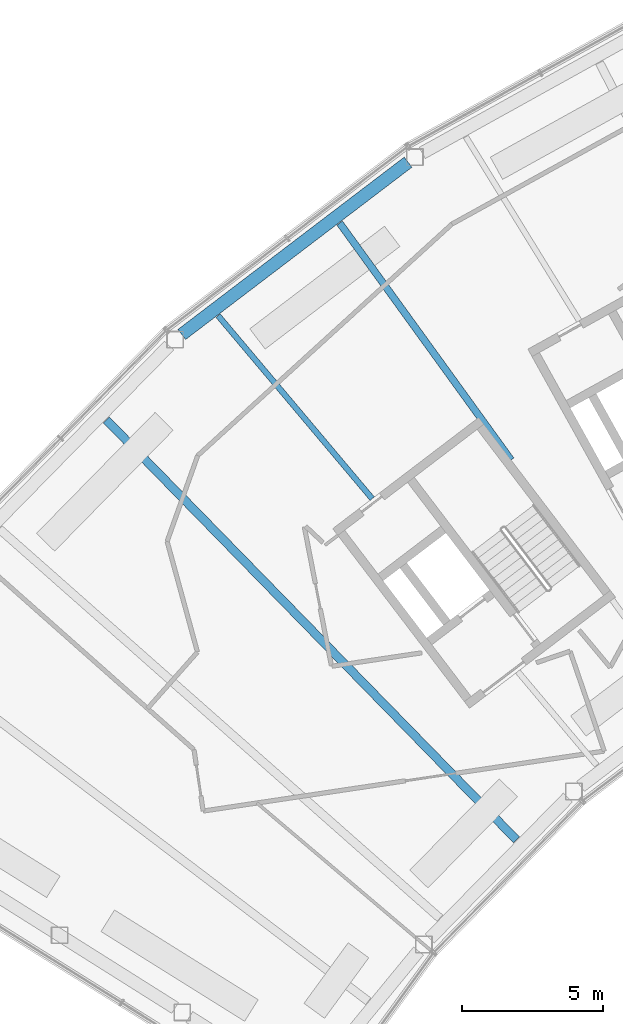
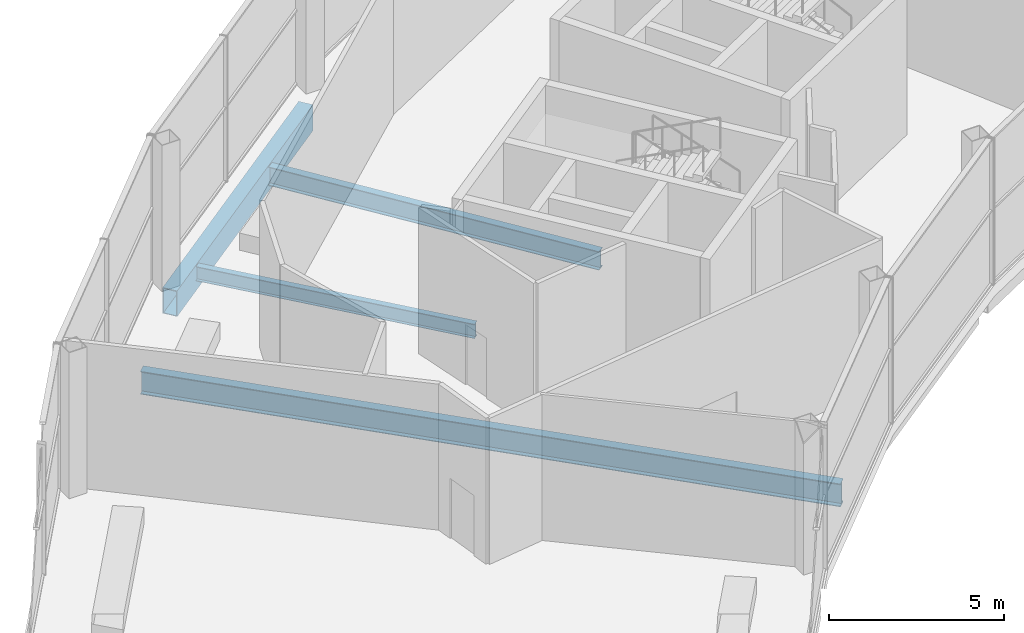
# One storey, part 9 of 43: 4 beams.
"""IFC4 building model written with IfcOpenShell, lengths in metres."""

import ifcopenshell
import ifcopenshell.guid

model = None  # the IFC model being written
_history = None  # IfcOwnerHistory: only IFC2X3 demands one
_inside = {}  # id of a spatial element -> (the spatial element, [elements in it])
_under = {}  # id of a project, library or spatial element -> (it, [spatial elements below it])
_declared = {}  # id of a project -> (the project, [libraries it declares])
_typed = {}  # id of a type object -> (the type object, [elements of that type])
_made_of = {}  # id of a material, layer set ... -> (it, [elements and type objects made of it])


def new_model(schema):
    """Start an empty IFC model of exactly this schema.

    Asked for "IFC4X3", IfcOpenShell would pick the latest addendum, in which some entities
    have other attributes; the version numbers below select the first issue.
    IFC2X3 requires an IfcOwnerHistory on every rooted entity: one is made here for all.
    """
    global model, _history
    if schema == "IFC4X3":
        model = ifcopenshell.file(schema_version=(4, 3, 0, 0))
    else:
        model = ifcopenshell.file(schema=schema)
    _inside.clear()
    _under.clear()
    _declared.clear()
    _typed.clear()
    _made_of.clear()
    _history = None
    if model.schema == "IFC2X3":
        org = make("IfcOrganization", Name="unknown")
        user = make(
            "IfcPersonAndOrganization",
            ThePerson=make("IfcPerson", FamilyName="unknown"),
            TheOrganization=org,
        )
        app = make(
            "IfcApplication",
            ApplicationDeveloper=org,
            Version="unknown",
            ApplicationFullName="unknown",
            ApplicationIdentifier="unknown",
        )
        _history = make(
            "IfcOwnerHistory",
            OwningUser=user,
            OwningApplication=app,
            ChangeAction="ADDED",
            CreationDate=0,
        )
    return model


def make(cls, **values):
    """One entity of the class cls with the attributes given. An attribute that is None is left unset."""
    return model.create_entity(
        cls, **{name: value for name, value in values.items() if value is not None}
    )


def rooted(cls, **values):
    """An entity with a GlobalId (a new one), such as an element, a storey or a relation."""
    return make(cls, GlobalId=ifcopenshell.guid.new(), OwnerHistory=_history, **values)


def si_unit(unit_type, name, prefix=None):
    """IfcSIUnit, for example si_unit("LENGTHUNIT", "METRE", prefix="MILLI")."""
    return make("IfcSIUnit", UnitType=unit_type, Prefix=prefix, Name=name)


def assignment(units):
    """IfcUnitAssignment: the units of a project."""
    return None if units is None else make("IfcUnitAssignment", Units=units)


def point(xyz):
    """IfcCartesianPoint."""
    return None if xyz is None else make("IfcCartesianPoint", Coordinates=xyz)


def direction(xyz):
    """IfcDirection."""
    return None if xyz is None else make("IfcDirection", DirectionRatios=xyz)


def frame(location, z_axis=None, x_axis=None):
    """IfcAxis2Placement3D, a coordinate frame: its origin and axes. An axis left out is left unset."""
    return make(
        "IfcAxis2Placement3D",
        Location=point(location),
        Axis=direction(z_axis),
        RefDirection=direction(x_axis),
    )


def frame_2d(location, x_axis=None):
    """IfcAxis2Placement2D, a coordinate frame in the plane: its origin and x axis."""
    return make(
        "IfcAxis2Placement2D", Location=point(location), RefDirection=direction(x_axis)
    )


def origin():
    """The frame at (0, 0, 0) with its axes left unset."""
    return frame((0.0, 0.0, 0.0))


def origin_2d():
    """The frame at (0, 0) in the plane with its x axis left unset."""
    return frame_2d((0.0, 0.0))


def place(relative_to, where):
    """IfcLocalPlacement: puts the frame where relative to a parent placement (None: the world)."""
    return make(
        "IfcLocalPlacement", PlacementRelTo=relative_to, RelativePlacement=where
    )


def context(
    kind, dimensions, precision=None, world=None, true_north=None, identifier=None
):
    """IfcGeometricRepresentationContext, for example the 3D "Model" context."""
    return make(
        "IfcGeometricRepresentationContext",
        ContextIdentifier=identifier,
        ContextType=kind,
        CoordinateSpaceDimension=dimensions,
        Precision=precision,
        WorldCoordinateSystem=world,
        TrueNorth=true_north,
    )


def subcontext(parent, identifier, kind, view, scale=None):
    """IfcGeometricRepresentationSubContext, for example "Body" below "Model"."""
    return make(
        "IfcGeometricRepresentationSubContext",
        ContextIdentifier=identifier,
        ContextType=kind,
        ParentContext=parent,
        TargetScale=scale,
        TargetView=view,
    )


def project(units=None, contexts=None):
    """IfcProject with its units and contexts."""
    return rooted(
        "IfcProject",
        Name="project",
        RepresentationContexts=contexts,
        UnitsInContext=assignment(units),
    )


def spatial(cls, under=None, at=None, **own):
    """A site, building, storey or space (cls), placed at a placement, below another one or the project."""
    s = rooted(cls, ObjectPlacement=at, **own)
    if under is not None:
        _under.setdefault(under.id(), (under, []))[1].append(s)
    return s


def profile(cls, at=None, kind="AREA", **sizes):
    """A parametric profile (cls). Its sizes go by their IFC names, for example OverallWidth=200.0."""
    return make(cls, ProfileType=kind, Position=at, **sizes)


def hollow_rectangle(**sizes):
    """IfcRectangleHollowProfileDef."""
    return profile("IfcRectangleHollowProfileDef", **sizes)


def i_section(**sizes):
    """IfcIShapeProfileDef."""
    return profile("IfcIShapeProfileDef", **sizes)


def extrude(swept, where, along, depth):
    """IfcExtrudedAreaSolid: the profile swept, set in the frame where, extruded along a direction by depth."""
    return make(
        "IfcExtrudedAreaSolid",
        SweptArea=swept,
        Position=where,
        ExtrudedDirection=direction(along),
        Depth=depth,
    )


def shape(context_of_items, identifier, shape_type, items):
    """IfcShapeRepresentation: the items that make up one representation, for example the "Body"."""
    return make(
        "IfcShapeRepresentation",
        ContextOfItems=context_of_items,
        RepresentationIdentifier=identifier,
        RepresentationType=shape_type,
        Items=items,
    )


def material(Name=None, Category=None):
    """IfcMaterial."""
    return make("IfcMaterial", Name=Name, Category=Category)


def material_profile(
    of_material, cross_section, Name=None, Category=None, Priority=None
):
    """IfcMaterialProfile: a cross section and its material."""
    return make(
        "IfcMaterialProfile",
        Name=Name,
        Material=of_material,
        Profile=cross_section,
        Priority=Priority,
        Category=Category,
    )


def profile_set(profiles, Name=None, composite=None):
    """IfcMaterialProfileSet."""
    return make(
        "IfcMaterialProfileSet",
        Name=Name,
        MaterialProfiles=profiles,
        CompositeProfile=composite,
    )


def made_of(thing, what):
    """Note that an element or type object is made of a material, layer set ...; save() writes the relation."""
    if what is not None:
        _made_of.setdefault(what.id(), (what, []))[1].append(thing)
    return thing


def type_object(cls, material=None, **own):
    """A type object (cls), such as IfcWallType, which elements share."""
    return made_of(rooted(cls, **own), material)


def element(
    cls,
    number,
    at=None,
    inside=None,
    cuts=None,
    type_object=None,
    material=None,
    context=None,
    identifier="Body",
    shape_type=None,
    held_by="IfcProductDefinitionShape",
    body=None,
    shapes=None,
    **own,
):
    """One element of the class cls, such as IfcWall. Its Tag is "e" and its number.

    at: its placement. inside: the storey or other place that contains it. cuts: it is an
    opening in that element (IfcRelVoidsElement). A single representation is given by context,
    identifier, shape_type and body (its items); several are given by shapes. held_by: the class
    of the entity that holds the representations. save() writes the other relations.
    """
    e = rooted(cls, Tag="e%d" % number, ObjectPlacement=at, **own)
    if body is not None:
        shapes = [shape(context, identifier, shape_type, body)]
    if shapes is not None:
        e.Representation = make(held_by, Representations=shapes)
    if inside is not None:
        _inside.setdefault(inside.id(), (inside, []))[1].append(e)
    if cuts is not None:
        rooted(
            "IfcRelVoidsElement", RelatingBuildingElement=cuts, RelatedOpeningElement=e
        )
    if type_object is not None:
        _typed.setdefault(type_object.id(), (type_object, []))[1].append(e)
    return made_of(e, material)


def aggregate(whole, parts):
    """IfcRelAggregates: a whole, such as a stair, and the parts it consists of."""
    return rooted("IfcRelAggregates", RelatingObject=whole, RelatedObjects=parts)


def save(model, path):
    """Write the relations noted so far, then the file.

    IfcRelAggregates (storeys below a building ...), IfcRelContainedInSpatialStructure (elements
    in a storey), IfcRelDefinesByType, IfcRelAssociatesMaterial and IfcRelDeclares: one each for
    every whole, place, type object, material and project.
    """
    for whole, parts in _under.values():
        aggregate(whole, parts)
    for where, things in _inside.values():
        rooted(
            "IfcRelContainedInSpatialStructure",
            RelatedElements=things,
            RelatingStructure=where,
        )
    for kind, things in _typed.values():
        rooted("IfcRelDefinesByType", RelatedObjects=things, RelatingType=kind)
    for what, things in _made_of.values():
        rooted("IfcRelAssociatesMaterial", RelatedObjects=things, RelatingMaterial=what)
    for by, libraries in _declared.values():
        rooted("IfcRelDeclares", RelatingContext=by, RelatedDefinitions=libraries)
    model.write(path)


model = new_model("IFC4")

# Units and contexts
model_context = context("Model", 3, precision=1e-05, world=origin(), true_north=direction((0.0, 1.0)))
body_context = subcontext(model_context, "Body", "Model", "MODEL_VIEW")
ifc_project = project(units=[si_unit("LENGTHUNIT", "METRE"), si_unit("AREAUNIT", "SQUARE_METRE"), si_unit("VOLUMEUNIT", "CUBIC_METRE"), si_unit("PLANEANGLEUNIT", "RADIAN"), si_unit("MASSUNIT", "GRAM", prefix="KILO")], contexts=[model_context])

# Site, building, storey
site_placement = place(None, origin())
site = spatial("IfcSite", under=ifc_project, at=site_placement, CompositionType="ELEMENT")
building_placement = place(site_placement, origin())
building = spatial("IfcBuilding", under=site, at=building_placement, Name="Tuul Gate Civic Tower", CompositionType="ELEMENT")
storey_placement = place(building_placement, frame((0.0, 0.0, 349.10009765625)))
storey = spatial("IfcBuildingStorey", under=building, at=storey_placement, Name="Observation level 1", CompositionType="ELEMENT", Elevation=349.10009765625)

# Beams
ifc_material_1 = material(Name="Steel S355", Category="steel")
ifc_material_profile_1 = material_profile(ifc_material_1, i_section(OverallWidth=0.199951171875, OverallDepth=0.5, WebThickness=0.010009765625, FlangeThickness=0.01611328125, at=origin_2d()), Name="PG500x200x10x16")
ifc_profile_set_1 = profile_set([ifc_material_profile_1], Name="Steel S355")
beam_type_1 = type_object("IfcBeamType", Name="STR-FLOOR BEAM-PG500x200x10x16", PredefinedType="BEAM", material=ifc_profile_set_1)
beam_1_placement = place(storey_placement, frame((-39.720703125, -10.298095703125, -0.650146484375), z_axis=(-0.644145503575, 0.764902980923, 0.0), x_axis=(-0.764902980923, -0.644145503575, 0.0)))
element("IfcBeam", 1, at=beam_1_placement, inside=storey, type_object=beam_type_1, Name="Floor beam", PredefinedType="BEAM", context=body_context, shape_type="SweptSolid", body=[
    extrude(i_section(OverallWidth=0.199951171875, OverallDepth=0.5, WebThickness=0.010009765625, FlangeThickness=0.01611328125, at=origin_2d()), origin(), (0.0, 0.0, 1.0), 8.47509765625),
])
ifc_material_2 = material(Name="Steel S355", Category="steel")
ifc_material_profile_2 = material_profile(ifc_material_2, i_section(OverallWidth=0.25, OverallDepth=0.64990234375, WebThickness=0.011962890625, FlangeThickness=0.02001953125, at=origin_2d()), Name="PG650x250x12x20")
ifc_profile_set_2 = profile_set([ifc_material_profile_2], Name="Steel S355")
beam_type_2 = type_object("IfcBeamType", Name="STR-FLOOR BEAM-PG650x250x12x20", PredefinedType="BEAM", material=ifc_profile_set_2)
beam_2_placement = place(storey_placement, frame((-34.799560546875, -8.9296875, -0.72509765625), z_axis=(-0.586091808988, 0.810244649126, 0.0), x_axis=(-0.810244649126, -0.586091808988, 0.0)))
element("IfcBeam", 2, at=beam_2_placement, inside=storey, type_object=beam_type_2, Name="Floor beam", PredefinedType="BEAM", context=body_context, shape_type="SweptSolid", body=[
    extrude(i_section(OverallWidth=0.25, OverallDepth=0.64990234375, WebThickness=0.011962890625, FlangeThickness=0.02001953125, at=origin_2d()), origin(), (0.0, 0.0, 1.0), 10.360107421875),
])
ifc_material_3 = material(Name="Steel S355", Category="steel")
ifc_material_profile_3 = material_profile(ifc_material_3, i_section(OverallWidth=0.300048828125, OverallDepth=0.800048828125, WebThickness=0.013916015625, FlangeThickness=0.02490234375, at=origin_2d()), Name="PG800x300x14x25")
ifc_profile_set_3 = profile_set([ifc_material_profile_3], Name="Steel S355")
beam_type_3 = type_object("IfcBeamType", Name="STR-FLOOR BEAM-PG800x300x14x25", PredefinedType="BEAM", material=ifc_profile_set_3)
beam_3_placement = place(storey_placement, frame((-34.606201171875, -22.390380859375, -0.800048828125), z_axis=(-0.698678629993, 0.715435651888, 0.0), x_axis=(-0.715435651888, -0.698678629993, 0.0)))
element("IfcBeam", 3, at=beam_3_placement, inside=storey, type_object=beam_type_3, Name="Floor beam", PredefinedType="BEAM", context=body_context, shape_type="SweptSolid", body=[
    extrude(i_section(OverallWidth=0.300048828125, OverallDepth=0.800048828125, WebThickness=0.013916015625, FlangeThickness=0.02490234375, at=origin_2d()), origin(), (0.0, 0.0, 1.0), 20.80517578125),
])
ifc_material_4 = material(Name="Steel S355", Category="steel")
ifc_material_profile_4 = material_profile(ifc_material_4, hollow_rectangle(XDim=0.449951171875, YDim=0.89990234375, WallThickness=0.02490234375, at=origin_2d()), Name="BOX900x450x25")
ifc_profile_set_4 = profile_set([ifc_material_profile_4], Name="Steel S355")
beam_type_4 = type_object("IfcBeamType", Name="STR-SPANDREL BEAM-BOX900x450x25", PredefinedType="BEAM", material=ifc_profile_set_4)
beam_4_placement = place(storey_placement, frame((-38.44873046875, 1.623291015625, -0.85009765625), z_axis=(-0.795665227609, -0.605736614028, 0.0), x_axis=(0.605736614028, -0.795665227609, 0.0)))
element("IfcBeam", 4, at=beam_4_placement, inside=storey, type_object=beam_type_4, Name="Spandrel beam", PredefinedType="BEAM", context=body_context, shape_type="SweptSolid", body=[
    extrude(hollow_rectangle(XDim=0.449951171875, YDim=0.89990234375, WallThickness=0.02490234375, at=origin_2d()), origin(), (0.0, 0.0, 1.0), 10.077880859375),
])

save(model, "model.ifc")
